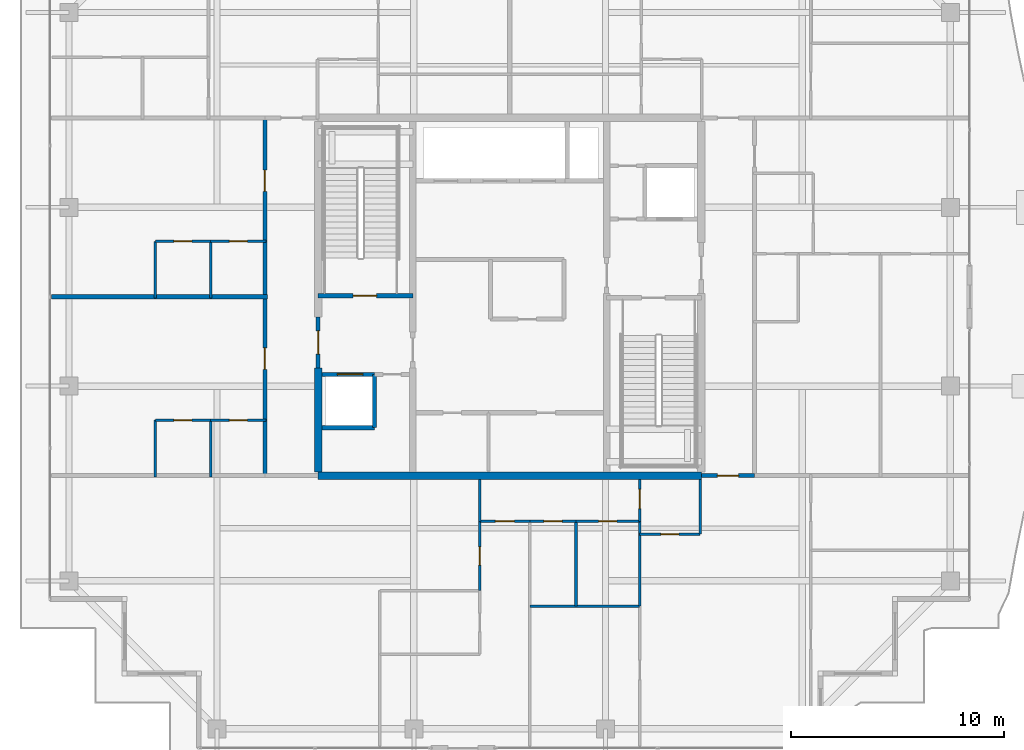
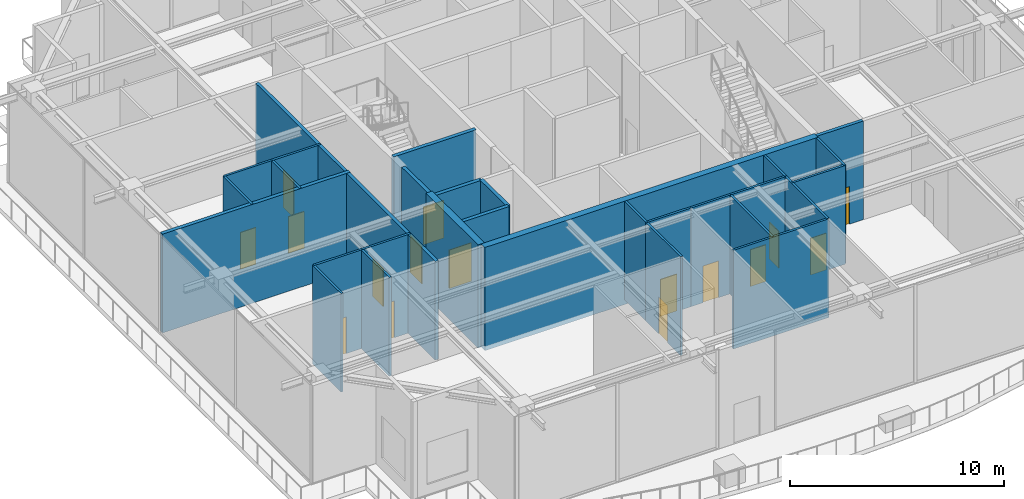
# One storey, part 27 of 38: 29 walls, 16 doors, 16 openings.
"""IFC4 building model written with IfcOpenShell, lengths in metres."""

from ifc_helpers import new_model, si_unit, direction, frame, frame_2d, origin, place, context, subcontext, project, spatial, rectangle, extrude, source, transform, mapped, material, layer, layer_set, type_object, element, fill, save


model = new_model("IFC4")

# Units and contexts
model_context = context("Model", 3, precision=1e-05, world=origin(), true_north=direction((0.0, 1.0)))
body_context = subcontext(model_context, "Body", "Model", "MODEL_VIEW")
ifc_project = project(units=[si_unit("LENGTHUNIT", "METRE"), si_unit("AREAUNIT", "SQUARE_METRE"), si_unit("VOLUMEUNIT", "CUBIC_METRE"), si_unit("PLANEANGLEUNIT", "RADIAN"), si_unit("MASSUNIT", "GRAM", prefix="KILO")], contexts=[model_context])

# Site, building, storey
site_placement = place(None, origin())
site = spatial("IfcSite", under=ifc_project, at=site_placement, CompositionType="ELEMENT")
building_placement = place(site_placement, origin())
building = spatial("IfcBuilding", under=site, at=building_placement, Name="Serunith Strait Residences", CompositionType="ELEMENT")
storey_placement = place(building_placement, frame((0.0, 0.0, 342.050048828125)))
storey = spatial("IfcBuildingStorey", under=building, at=storey_placement, Name="L85", CompositionType="ELEMENT", Elevation=342.050048828125)

# Wall, openings, doors
ifc_material_1 = material(Name="Fire-rated acoustic gypsum partition")
ifc_layer_1 = layer(ifc_material_1, 0.179931640625, Name="Fire-rated acoustic gypsum partition")
ifc_layer_set_1 = layer_set([ifc_layer_1], Name="Fire-rated acoustic gypsum partition")
wall_type_1 = type_object("IfcWallType", Name="IW-CORR-180", PredefinedType="PARTITIONING", material=ifc_layer_set_1)
wall_1_placement = place(storey_placement, frame((20.89990234375, 16.800048828125, 0.0), z_axis=(0.0, 0.0, 1.0), x_axis=(0.0, 1.0, 0.0)))
wall_1 = element("IfcWall", 1, at=wall_1_placement, inside=storey, type_object=wall_type_1, Name="L85 Partition Wall 027", PredefinedType="PARTITIONING", context=body_context, shape_type="SweptSolid", body=[
    extrude(rectangle(XDim=16.800048828125, YDim=0.179931640625, at=frame_2d((8.39990234375, 0.0))), origin(), (0.0, 0.0, 1.0), 5.639892578125),
])
opening_1_placement = place(wall_1_placement, frame((4.992919921875, 0.0, 0.0)))
opening_1 = element("IfcOpeningElement", 2, at=opening_1_placement, cuts=wall_1, Name="Opening D-APT1000", PredefinedType="OPENING", context=body_context, shape_type="SweptSolid", body=[
    extrude(rectangle(XDim=1.0, YDim=2.14990234375, at=frame_2d((0.5, 1.074951171875))), frame((0.0, 0.10009765625, 0.0), z_axis=(0.0, -1.0, 0.0), x_axis=(1.0, 0.0, 0.0)), (0.0, 0.0, 1.0), 0.199951171875),
])
opening_2_placement = place(wall_1_placement, frame((13.35107421875, 0.0, 0.0)))
opening_2 = element("IfcOpeningElement", 3, at=opening_2_placement, cuts=wall_1, Name="Opening D-APT1000", PredefinedType="OPENING", context=body_context, shape_type="SweptSolid", body=[
    extrude(rectangle(XDim=1.0, YDim=2.14990234375, at=frame_2d((0.5, 1.074951171875))), frame((0.0, 0.10009765625, 0.0), z_axis=(0.0, -1.0, 0.0), x_axis=(1.0, 0.0, 0.0)), (0.0, 0.0, 1.0), 0.199951171875),
])
ifc_material_2 = material(Name="Solid timber engineered fire door", Category="wood")
door_type_1 = type_object("IfcDoorType", Name="ID-APT-1000", OperationType="NOTDEFINED", PredefinedType="DOOR", material=ifc_material_2)
shared_shape_1 = source(origin(), body_context, "Body", "SweptSolid", [
    extrude(rectangle(XDim=1.0, YDim=2.14990234375, at=frame_2d((0.5, 1.074951171875))), frame((0.0, 0.02490234375, 0.0), z_axis=(0.0, -1.0, 0.0), x_axis=(1.0, 0.0, 0.0)), (0.0, 0.0, 1.0), 0.050048828125),
])
door_1_placement = place(opening_1_placement, origin())
door_1 = element("IfcDoor", 4, at=door_1_placement, inside=storey, type_object=door_type_1, Name="L85 Unit 04 Entrance Door", OperationType="SINGLE_SWING_RIGHT", OverallHeight=2.14990234375, OverallWidth=1.0, PredefinedType="DOOR", context=body_context, shape_type="MappedRepresentation", body=[
    mapped(shared_shape_1, transform((0.0, 0.0, 0.0), scale=1.0)),
])
fill(opening_1, door_1)
door_2_placement = place(opening_2_placement, origin())
door_2 = element("IfcDoor", 5, at=door_2_placement, inside=storey, type_object=door_type_1, Name="L85 Unit 05 Entrance Door", OperationType="SINGLE_SWING_LEFT", OverallHeight=2.14990234375, OverallWidth=1.0, PredefinedType="DOOR", context=body_context, shape_type="MappedRepresentation", body=[
    mapped(shared_shape_1, transform((0.0, 0.0, 0.0), scale=1.0)),
])
fill(opening_2, door_2)

# Wall, opening, door
wall_2_placement = place(storey_placement, frame((41.402099609375, 16.800048828125, 0.0), z_axis=(0.0, 0.0, 1.0), x_axis=(1.0, 0.0, 0.0)))
wall_2 = element("IfcWall", 6, at=wall_2_placement, inside=storey, type_object=wall_type_1, Name="L85 Partition Wall 028", PredefinedType="PARTITIONING", context=body_context, shape_type="SweptSolid", body=[
    extrude(rectangle(XDim=2.495849609375, YDim=0.179931640625, at=frame_2d((1.248046875, 0.0))), origin(), (0.0, 0.0, 1.0), 5.639892578125),
])
opening_3_placement = place(wall_2_placement, frame((0.748046875, 0.0, 0.0)))
opening_3 = element("IfcOpeningElement", 7, at=opening_3_placement, cuts=wall_2, Name="Opening D-APT1000", PredefinedType="OPENING", context=body_context, shape_type="SweptSolid", body=[
    extrude(rectangle(XDim=1.0, YDim=2.14990234375, at=frame_2d((0.5, 1.074951171875))), frame((0.0, 0.10009765625, 0.0), z_axis=(0.0, -1.0, 0.0), x_axis=(1.0, 0.0, 0.0)), (0.0, 0.0, 1.0), 0.199951171875),
])
door_3_placement = place(opening_3_placement, origin())
door_3 = element("IfcDoor", 8, at=door_3_placement, inside=storey, type_object=door_type_1, Name="L85 Unit 01 Entrance Door", OperationType="SINGLE_SWING_RIGHT", OverallHeight=2.14990234375, OverallWidth=1.0, PredefinedType="DOOR", context=body_context, shape_type="MappedRepresentation", body=[
    mapped(shared_shape_1, transform((0.0, 0.0, 0.0), scale=1.0)),
])
fill(opening_3, door_3)

ifc_material_3 = material(Name="Lightweight steel-stud gypsum partition", Category="steel")
ifc_layer_2 = layer(ifc_material_3, 0.1201171875, Name="Lightweight steel-stud gypsum partition")
ifc_layer_set_2 = layer_set([ifc_layer_2], Name="Lightweight steel-stud gypsum partition")
wall_type_2 = type_object("IfcWallType", Name="IW-PART-120", PredefinedType="PARTITIONING", material=ifc_layer_set_2)
wall_3_placement = place(storey_placement, frame((38.5, 14.050048828125, 0.0), z_axis=(0.0, 0.0, 1.0), x_axis=(1.0, 0.0, 0.0)))
wall_3 = element("IfcWall", 9, at=wall_3_placement, inside=storey, type_object=wall_type_2, Name="L85 Partition Wall 031", PredefinedType="PARTITIONING", context=body_context, shape_type="SweptSolid", body=[
    extrude(rectangle(XDim=2.85009765625, YDim=0.1201171875, at=frame_2d((1.425048828125, 0.0))), origin(), (0.0, 0.0, 1.0), 5.639892578125),
])
opening_4_placement = place(wall_3_placement, frame((1.0, 0.0, 0.0)))
opening_4 = element("IfcOpeningElement", 10, at=opening_4_placement, cuts=wall_3, Name="Opening D-RM850", PredefinedType="OPENING", context=body_context, shape_type="SweptSolid", body=[
    extrude(rectangle(XDim=0.85009765625, YDim=2.10009765625, at=frame_2d((0.425048828125, 1.050048828125))), frame((0.0, 0.070068359375, 0.0), z_axis=(0.0, -1.0, 0.0), x_axis=(1.0, 0.0, 0.0)), (0.0, 0.0, 1.0), 0.14013671875),
])
ifc_material_4 = material(Name="Engineered timber flush study and kitchen door", Category="wood")
door_type_2 = type_object("IfcDoorType", Name="ID-ROOM-850", OperationType="NOTDEFINED", PredefinedType="DOOR", material=ifc_material_4)
shared_shape_2 = source(origin(), body_context, "Body", "SweptSolid", [
    extrude(rectangle(XDim=0.85009765625, YDim=2.10009765625, at=frame_2d((0.425048828125, 1.050048828125))), frame((0.0, 0.02490234375, 0.0), z_axis=(0.0, -1.0, 0.0), x_axis=(1.0, 0.0, 0.0)), (0.0, 0.0, 1.0), 0.050048828125),
])
door_4_placement = place(opening_4_placement, origin())
door_4 = element("IfcDoor", 11, at=door_4_placement, inside=storey, type_object=door_type_2, Name="L85 Kitchen 8501 Door", OperationType="SINGLE_SWING_LEFT", OverallHeight=2.10009765625, OverallWidth=0.85009765625, PredefinedType="DOOR", context=body_context, shape_type="MappedRepresentation", body=[
    mapped(shared_shape_2, transform((0.0, 0.0, 0.0), scale=1.0)),
])
fill(opening_4, door_4)

# Wall
wall_4_placement = place(storey_placement, frame((41.35009765625, 14.050048828125, 0.0), z_axis=(0.0, 0.0, 1.0), x_axis=(0.0, 1.0, 0.0)))
element("IfcWall", 12, at=wall_4_placement, inside=storey, type_object=wall_type_2, Name="L85 Partition Wall 032", PredefinedType="PARTITIONING", context=body_context, shape_type="SweptSolid", body=[
    extrude(rectangle(XDim=2.574951171875, YDim=0.1201171875, at=frame_2d((1.28759765625, 0.0))), origin(), (0.0, 0.0, 1.0), 5.639892578125),
])

# Wall, opening, door
wall_5_placement = place(storey_placement, frame((38.5, 14.64990234375, 0.0), z_axis=(0.0, 0.0, 1.0), x_axis=(0.0, 1.0, 0.0)))
wall_5 = element("IfcWall", 13, at=wall_5_placement, inside=storey, type_object=wall_type_2, Name="L85 Partition Wall 033", PredefinedType="PARTITIONING", context=body_context, shape_type="SweptSolid", body=[
    extrude(rectangle(XDim=1.97509765625, YDim=0.1201171875, at=frame_2d((0.987548828125, 0.0))), origin(), (0.0, 0.0, 1.0), 5.639892578125),
])
opening_5_placement = place(wall_5_placement, frame((0.60107421875, 0.0, 0.0)))
opening_5 = element("IfcOpeningElement", 14, at=opening_5_placement, cuts=wall_5, Name="Opening D-RM900", PredefinedType="OPENING", context=body_context, shape_type="SweptSolid", body=[
    extrude(rectangle(XDim=0.89990234375, YDim=2.10009765625, at=frame_2d((0.449951171875, 1.050048828125))), frame((0.0, 0.070068359375, 0.0), z_axis=(0.0, -1.0, 0.0), x_axis=(1.0, 0.0, 0.0)), (0.0, 0.0, 1.0), 0.14013671875),
])
ifc_material_5 = material(Name="Engineered timber flush bedroom door", Category="wood")
door_type_3 = type_object("IfcDoorType", Name="ID-ROOM-900", OperationType="NOTDEFINED", PredefinedType="DOOR", material=ifc_material_5)
shared_shape_3 = source(origin(), body_context, "Body", "SweptSolid", [
    extrude(rectangle(XDim=0.89990234375, YDim=2.10009765625, at=frame_2d((0.449951171875, 1.050048828125))), frame((0.0, 0.02490234375, 0.0), z_axis=(0.0, -1.0, 0.0), x_axis=(1.0, 0.0, 0.0)), (0.0, 0.0, 1.0), 0.050048828125),
])
door_5_placement = place(opening_5_placement, origin())
door_5 = element("IfcDoor", 15, at=door_5_placement, inside=storey, type_object=door_type_3, Name="L85 Hall W 8501 Door", OperationType="SINGLE_SWING_RIGHT", OverallHeight=2.10009765625, OverallWidth=0.89990234375, PredefinedType="DOOR", context=body_context, shape_type="MappedRepresentation", body=[
    mapped(shared_shape_3, transform((0.0, 0.0, 0.0), scale=1.0)),
])
fill(opening_5, door_5)

# Walls
wall_6_placement = place(storey_placement, frame((38.5, 10.666015625, 0.0), z_axis=(0.0, 0.0, 1.0), x_axis=(0.0, 1.0, 0.0)))
element("IfcWall", 16, at=wall_6_placement, inside=storey, type_object=wall_type_2, Name="L85 Partition Wall 035", PredefinedType="PARTITIONING", context=body_context, shape_type="SweptSolid", body=[
    extrude(rectangle(XDim=3.98193359375, YDim=0.1201171875, at=frame_2d((1.990966796875, 0.0))), origin(), (0.0, 0.0, 1.0), 5.639892578125),
])
wall_7_placement = place(storey_placement, frame((33.35009765625, 10.6640625, 0.0), z_axis=(0.0, 0.0, 1.0), x_axis=(1.0, 0.0, 0.0)))
element("IfcWall", 17, at=wall_7_placement, inside=storey, type_object=wall_type_2, Name="L85 Partition Wall 036", PredefinedType="PARTITIONING", context=body_context, shape_type="SweptSolid", body=[
    extrude(rectangle(XDim=5.14990234375, YDim=0.1201171875, at=frame_2d((2.574951171875, 0.0))), origin(), (0.0, 0.0, 1.0), 5.639892578125),
])
wall_8_placement = place(storey_placement, frame((35.512939453125, 10.6640625, 0.0), z_axis=(0.0, 0.0, 1.0), x_axis=(0.0, 1.0, 0.0)))
element("IfcWall", 18, at=wall_8_placement, inside=storey, type_object=wall_type_2, Name="L85 Partition Wall 038", PredefinedType="PARTITIONING", context=body_context, shape_type="SweptSolid", body=[
    extrude(rectangle(XDim=3.98583984375, YDim=0.1201171875, at=frame_2d((1.992919921875, 0.0))), origin(), (0.0, 0.0, 1.0), 5.639892578125),
])

# Wall, opening, door
wall_9_placement = place(storey_placement, frame((33.35009765625, 14.64990234375, 0.0), z_axis=(0.0, 0.0, 1.0), x_axis=(1.0, 0.0, 0.0)))
wall_9 = element("IfcWall", 19, at=wall_9_placement, inside=storey, type_object=wall_type_2, Name="L85 Partition Wall 039", PredefinedType="PARTITIONING", context=body_context, shape_type="SweptSolid", body=[
    extrude(rectangle(XDim=2.162841796875, YDim=0.1201171875, at=frame_2d((1.08154296875, 0.0))), origin(), (0.0, 0.0, 1.0), 5.639892578125),
])
opening_6_placement = place(wall_9_placement, frame((0.656005859375, 0.0, 0.0)))
opening_6 = element("IfcOpeningElement", 20, at=opening_6_placement, cuts=wall_9, Name="Opening D-BTH850", PredefinedType="OPENING", context=body_context, shape_type="SweptSolid", body=[
    extrude(rectangle(XDim=0.85009765625, YDim=2.10009765625, at=frame_2d((0.425048828125, 1.050048828125))), frame((0.0, 0.070068359375, 0.0), z_axis=(0.0, -1.0, 0.0), x_axis=(1.0, 0.0, 0.0)), (0.0, 0.0, 1.0), 0.14013671875),
])
ifc_material_6 = material(Name="Moisture-resistant timber bathroom door", Category="wood")
door_type_4 = type_object("IfcDoorType", Name="ID-BATH-850", OperationType="NOTDEFINED", PredefinedType="DOOR", material=ifc_material_6)
door_6_placement = place(opening_6_placement, origin())
door_6 = element("IfcDoor", 21, at=door_6_placement, inside=storey, type_object=door_type_4, Name="L85 Bathroom 8501 Door", OperationType="SINGLE_SWING_RIGHT", OverallHeight=2.10009765625, OverallWidth=0.85009765625, PredefinedType="DOOR", context=body_context, shape_type="MappedRepresentation", body=[
    mapped(shared_shape_2, transform((0.0, 0.0, 0.0), scale=1.0)),
])
fill(opening_6, door_6)

wall_10_placement = place(storey_placement, frame((35.514892578125, 14.64990234375, 0.0), z_axis=(0.0, 0.0, 1.0), x_axis=(1.0, 0.0, 0.0)))
wall_10 = element("IfcWall", 22, at=wall_10_placement, inside=storey, type_object=wall_type_2, Name="L85 Partition Wall 040", PredefinedType="PARTITIONING", context=body_context, shape_type="SweptSolid", body=[
    extrude(rectangle(XDim=2.985107421875, YDim=0.1201171875, at=frame_2d((1.49267578125, 0.0))), origin(), (0.0, 0.0, 1.0), 5.639892578125),
])
opening_7_placement = place(wall_10_placement, frame((1.06689453125, 0.0, 0.0)))
opening_7 = element("IfcOpeningElement", 23, at=opening_7_placement, cuts=wall_10, Name="Opening D-RM850", PredefinedType="OPENING", context=body_context, shape_type="SweptSolid", body=[
    extrude(rectangle(XDim=0.85009765625, YDim=2.10009765625, at=frame_2d((0.425048828125, 1.050048828125))), frame((0.0, 0.070068359375, 0.0), z_axis=(0.0, -1.0, 0.0), x_axis=(1.0, 0.0, 0.0)), (0.0, 0.0, 1.0), 0.14013671875),
])
door_7_placement = place(opening_7_placement, origin())
door_7 = element("IfcDoor", 24, at=door_7_placement, inside=storey, type_object=door_type_2, Name="L85 Formal Dining Room 8501 Door", OperationType="SINGLE_SWING_LEFT", OverallHeight=2.10009765625, OverallWidth=0.85009765625, PredefinedType="DOOR", context=body_context, shape_type="MappedRepresentation", body=[
    mapped(shared_shape_2, transform((0.0, 0.0, 0.0), scale=1.0)),
])
fill(opening_7, door_7)

wall_11_placement = place(storey_placement, frame((31.0, 14.64990234375, 0.0), z_axis=(0.0, 0.0, 1.0), x_axis=(1.0, 0.0, 0.0)))
wall_11 = element("IfcWall", 25, at=wall_11_placement, inside=storey, type_object=wall_type_2, Name="L85 Partition Wall 041", PredefinedType="PARTITIONING", context=body_context, shape_type="SweptSolid", body=[
    extrude(rectangle(XDim=2.347900390625, YDim=0.1201171875, at=frame_2d((1.173828125, 0.0))), origin(), (0.0, 0.0, 1.0), 5.639892578125),
])
opening_8_placement = place(wall_11_placement, frame((0.72412109375, 0.0, 0.0)))
opening_8 = element("IfcOpeningElement", 26, at=opening_8_placement, cuts=wall_11, Name="Opening D-RM900", PredefinedType="OPENING", context=body_context, shape_type="SweptSolid", body=[
    extrude(rectangle(XDim=0.89990234375, YDim=2.10009765625, at=frame_2d((0.449951171875, 1.050048828125))), frame((0.0, 0.070068359375, 0.0), z_axis=(0.0, -1.0, 0.0), x_axis=(1.0, 0.0, 0.0)), (0.0, 0.0, 1.0), 0.14013671875),
])
door_8_placement = place(opening_8_placement, origin())
door_8 = element("IfcDoor", 27, at=door_8_placement, inside=storey, type_object=door_type_3, Name="L85 Master Bedroom W 8501 Door", OperationType="SINGLE_SWING_RIGHT", OverallHeight=2.10009765625, OverallWidth=0.89990234375, PredefinedType="DOOR", context=body_context, shape_type="MappedRepresentation", body=[
    mapped(shared_shape_3, transform((0.0, 0.0, 0.0), scale=1.0)),
])
fill(opening_8, door_8)

wall_12_placement = place(storey_placement, frame((31.0, 11.39111328125, 0.0), z_axis=(0.0, 0.0, 1.0), x_axis=(0.0, 1.0, 0.0)))
wall_12 = element("IfcWall", 28, at=wall_12_placement, inside=storey, type_object=wall_type_2, Name="L85 Partition Wall 046", PredefinedType="PARTITIONING", context=body_context, shape_type="SweptSolid", body=[
    extrude(rectangle(XDim=3.2587890625, YDim=0.1201171875, at=frame_2d((1.62939453125, 0.0))), origin(), (0.0, 0.0, 1.0), 5.639892578125),
])
opening_9_placement = place(wall_12_placement, frame((1.205078125, 0.0, 0.0)))
opening_9 = element("IfcOpeningElement", 29, at=opening_9_placement, cuts=wall_12, Name="Opening D-RM850", PredefinedType="OPENING", context=body_context, shape_type="SweptSolid", body=[
    extrude(rectangle(XDim=0.85009765625, YDim=2.10009765625, at=frame_2d((0.425048828125, 1.050048828125))), frame((0.0, 0.070068359375, 0.0), z_axis=(0.0, -1.0, 0.0), x_axis=(1.0, 0.0, 0.0)), (0.0, 0.0, 1.0), 0.14013671875),
])
door_9_placement = place(opening_9_placement, origin())
door_9 = element("IfcDoor", 30, at=door_9_placement, inside=storey, type_object=door_type_2, Name="L85 Wardrobe W 8501 Door", OperationType="SINGLE_SWING_RIGHT", OverallHeight=2.10009765625, OverallWidth=0.85009765625, PredefinedType="DOOR", context=body_context, shape_type="MappedRepresentation", body=[
    mapped(shared_shape_2, transform((0.0, 0.0, 0.0), scale=1.0)),
])
fill(opening_9, door_9)

# Wall
wall_13_placement = place(storey_placement, frame((31.0, 14.652099609375, 0.0), z_axis=(0.0, 0.0, 1.0), x_axis=(0.0, 1.0, 0.0)))
element("IfcWall", 31, at=wall_13_placement, inside=storey, type_object=wall_type_2, Name="L85 Partition Wall 047", PredefinedType="PARTITIONING", context=body_context, shape_type="SweptSolid", body=[
    extrude(rectangle(XDim=1.972900390625, YDim=0.1201171875, at=frame_2d((0.986328125, 0.0))), origin(), (0.0, 0.0, 1.0), 5.639892578125),
])

# Wall, opening, door
wall_14_placement = place(storey_placement, frame((15.75, 19.39990234375, 0.0), z_axis=(0.0, 0.0, 1.0), x_axis=(1.0, 0.0, 0.0)))
wall_14 = element("IfcWall", 32, at=wall_14_placement, inside=storey, type_object=wall_type_2, Name="L85 Partition Wall 073", PredefinedType="PARTITIONING", context=body_context, shape_type="SweptSolid", body=[
    extrude(rectangle(XDim=2.60009765625, YDim=0.1201171875, at=frame_2d((1.300048828125, 0.0))), origin(), (0.0, 0.0, 1.0), 5.639892578125),
])
opening_10_placement = place(wall_14_placement, frame((0.875, 0.0, 0.0)))
opening_10 = element("IfcOpeningElement", 33, at=opening_10_placement, cuts=wall_14, Name="Opening D-RM850", PredefinedType="OPENING", context=body_context, shape_type="SweptSolid", body=[
    extrude(rectangle(XDim=0.85009765625, YDim=2.10009765625, at=frame_2d((0.425048828125, 1.050048828125))), frame((0.0, 0.070068359375, 0.0), z_axis=(0.0, -1.0, 0.0), x_axis=(1.0, 0.0, 0.0)), (0.0, 0.0, 1.0), 0.14013671875),
])
door_10_placement = place(opening_10_placement, origin())
door_10 = element("IfcDoor", 34, at=door_10_placement, inside=storey, type_object=door_type_2, Name="L85 Kitchen 8504 Door", OperationType="SINGLE_SWING_RIGHT", OverallHeight=2.10009765625, OverallWidth=0.85009765625, PredefinedType="DOOR", context=body_context, shape_type="MappedRepresentation", body=[
    mapped(shared_shape_2, transform((0.0, 0.0, 0.0), scale=1.0)),
])
fill(opening_10, door_10)

wall_15_placement = place(storey_placement, frame((18.35205078125, 19.39990234375, 0.0), z_axis=(0.0, 0.0, 1.0), x_axis=(1.0, 0.0, 0.0)))
wall_15 = element("IfcWall", 35, at=wall_15_placement, inside=storey, type_object=wall_type_2, Name="L85 Partition Wall 074", PredefinedType="PARTITIONING", context=body_context, shape_type="SweptSolid", body=[
    extrude(rectangle(XDim=2.60791015625, YDim=0.1201171875, at=frame_2d((1.303955078125, 0.0))), origin(), (0.0, 0.0, 1.0), 5.639892578125),
])
opening_11_placement = place(wall_15_placement, frame((0.87890625, 0.0, 0.0)))
opening_11 = element("IfcOpeningElement", 36, at=opening_11_placement, cuts=wall_15, Name="Opening D-BTH850", PredefinedType="OPENING", context=body_context, shape_type="SweptSolid", body=[
    extrude(rectangle(XDim=0.85009765625, YDim=2.10009765625, at=frame_2d((0.425048828125, 1.050048828125))), frame((0.0, 0.070068359375, 0.0), z_axis=(0.0, -1.0, 0.0), x_axis=(1.0, 0.0, 0.0)), (0.0, 0.0, 1.0), 0.14013671875),
])
door_11_placement = place(opening_11_placement, origin())
door_11 = element("IfcDoor", 37, at=door_11_placement, inside=storey, type_object=door_type_4, Name="L85 Bathroom 8504 Door", OperationType="SINGLE_SWING_LEFT", OverallHeight=2.10009765625, OverallWidth=0.85009765625, PredefinedType="DOOR", context=body_context, shape_type="MappedRepresentation", body=[
    mapped(shared_shape_2, transform((0.0, 0.0, 0.0), scale=1.0)),
])
fill(opening_11, door_11)

# Walls
for number, where, z_axis, x_axis, name in (
    (38, (18.35009765625, 16.739990234375, 0.0), (0.0, 0.0, 1.0), (0.0, 1.0, 0.0), "L85 Partition Wall 075"),
    (39, (15.75, 16.739990234375, 0.0), (0.0, 0.0, 1.0), (0.0, 1.0, 0.0), "L85 Partition Wall 076"),
):
    element("IfcWall", number, at=place(storey_placement, frame(where, z_axis=z_axis, x_axis=x_axis)), inside=storey, type_object=wall_type_2, Name=name, PredefinedType="PARTITIONING", context=body_context, shape_type="SweptSolid", body=[
        extrude(rectangle(XDim=2.659912109375, YDim=0.1201171875, at=frame_2d((1.330078125, 0.0))), origin(), (0.0, 0.0, 1.0), 5.639892578125),
    ])

# Wall, opening, door
wall_16_placement = place(storey_placement, frame((15.75, 27.800048828125, 0.0), z_axis=(0.0, 0.0, 1.0), x_axis=(1.0, 0.0, 0.0)))
wall_16 = element("IfcWall", 40, at=wall_16_placement, inside=storey, type_object=wall_type_2, Name="L85 Partition Wall 077", PredefinedType="PARTITIONING", context=body_context, shape_type="SweptSolid", body=[
    extrude(rectangle(XDim=2.60009765625, YDim=0.1201171875, at=frame_2d((1.300048828125, 0.0))), origin(), (0.0, 0.0, 1.0), 5.639892578125),
])
opening_12_placement = place(wall_16_placement, frame((0.875, 0.0, 0.0)))
opening_12 = element("IfcOpeningElement", 41, at=opening_12_placement, cuts=wall_16, Name="Opening D-RM850", PredefinedType="OPENING", context=body_context, shape_type="SweptSolid", body=[
    extrude(rectangle(XDim=0.85009765625, YDim=2.10009765625, at=frame_2d((0.425048828125, 1.050048828125))), frame((0.0, 0.070068359375, 0.0), z_axis=(0.0, -1.0, 0.0), x_axis=(1.0, 0.0, 0.0)), (0.0, 0.0, 1.0), 0.14013671875),
])
door_12_placement = place(opening_12_placement, origin())
door_12 = element("IfcDoor", 42, at=door_12_placement, inside=storey, type_object=door_type_2, Name="L85 Kitchen 8505 Door", OperationType="SINGLE_SWING_RIGHT", OverallHeight=2.10009765625, OverallWidth=0.85009765625, PredefinedType="DOOR", context=body_context, shape_type="MappedRepresentation", body=[
    mapped(shared_shape_2, transform((0.0, 0.0, 0.0), scale=1.0)),
])
fill(opening_12, door_12)

wall_17_placement = place(storey_placement, frame((18.35205078125, 27.800048828125, 0.0), z_axis=(0.0, 0.0, 1.0), x_axis=(1.0, 0.0, 0.0)))
wall_17 = element("IfcWall", 43, at=wall_17_placement, inside=storey, type_object=wall_type_2, Name="L85 Partition Wall 078", PredefinedType="PARTITIONING", context=body_context, shape_type="SweptSolid", body=[
    extrude(rectangle(XDim=2.60791015625, YDim=0.1201171875, at=frame_2d((1.303955078125, 0.0))), origin(), (0.0, 0.0, 1.0), 5.639892578125),
])
opening_13_placement = place(wall_17_placement, frame((0.87890625, 0.0, 0.0)))
opening_13 = element("IfcOpeningElement", 44, at=opening_13_placement, cuts=wall_17, Name="Opening D-BTH850", PredefinedType="OPENING", context=body_context, shape_type="SweptSolid", body=[
    extrude(rectangle(XDim=0.85009765625, YDim=2.10009765625, at=frame_2d((0.425048828125, 1.050048828125))), frame((0.0, 0.070068359375, 0.0), z_axis=(0.0, -1.0, 0.0), x_axis=(1.0, 0.0, 0.0)), (0.0, 0.0, 1.0), 0.14013671875),
])
door_13_placement = place(opening_13_placement, origin())
door_13 = element("IfcDoor", 45, at=door_13_placement, inside=storey, type_object=door_type_4, Name="L85 Bathroom 8505 Door", OperationType="SINGLE_SWING_LEFT", OverallHeight=2.10009765625, OverallWidth=0.85009765625, PredefinedType="DOOR", context=body_context, shape_type="MappedRepresentation", body=[
    mapped(shared_shape_2, transform((0.0, 0.0, 0.0), scale=1.0)),
])
fill(opening_13, door_13)

# Walls
for number, where, z_axis, x_axis, name in (
    (46, (18.35009765625, 25.139892578125, 0.0), (0.0, 0.0, 1.0), (0.0, 1.0, 0.0), "L85 Partition Wall 079"),
    (47, (15.75, 25.139892578125, 0.0), (0.0, 0.0, 1.0), (0.0, 1.0, 0.0), "L85 Partition Wall 080"),
):
    element("IfcWall", number, at=place(storey_placement, frame(where, z_axis=z_axis, x_axis=x_axis)), inside=storey, type_object=wall_type_2, Name=name, PredefinedType="PARTITIONING", context=body_context, shape_type="SweptSolid", body=[
        extrude(rectangle(XDim=2.66015625, YDim=0.1201171875, at=frame_2d((1.330078125, 0.0))), origin(), (0.0, 0.0, 1.0), 5.639892578125),
    ])
ifc_material_7 = material(Name="Twin-stud acoustic gypsum board partition")
ifc_layer_3 = layer(ifc_material_7, 0.199951171875, Name="Twin-stud acoustic gypsum board partition")
ifc_layer_set_3 = layer_set([ifc_layer_3], Name="Twin-stud acoustic gypsum board partition")
wall_type_3 = type_object("IfcWallType", Name="IW-PARTY-200", PredefinedType="PARTITIONING", material=ifc_layer_set_3)
wall_18_placement = place(storey_placement, frame((10.882080078125, 25.199951171875, 0.0), z_axis=(0.0, 0.0, 1.0), x_axis=(1.0, 0.0, 0.0)))
element("IfcWall", 48, at=wall_18_placement, inside=storey, type_object=wall_type_3, Name="L85 Partition Wall 020", PredefinedType="PARTITIONING", context=body_context, shape_type="SweptSolid", body=[
    extrude(rectangle(XDim=10.137939453125, YDim=0.199951171875, at=frame_2d((5.06884765625, 0.0))), origin(), (0.0, 0.0, 1.0), 5.639892578125),
])

# Wall, opening, door
ifc_material_8 = material(Name="Autoclaved aerated concrete blockwork", Category="masonry")
ifc_layer_4 = layer(ifc_material_8, 0.199951171875, Name="Autoclaved aerated concrete blockwork")
ifc_layer_set_4 = layer_set([ifc_layer_4], Name="Autoclaved aerated concrete blockwork")
wall_type_4 = type_object("IfcWallType", Name="IW-SHAFT-200", PredefinedType="STANDARD", material=ifc_layer_set_4)
wall_19_placement = place(storey_placement, frame((23.39990234375, 25.25, 0.0), z_axis=(0.0, 0.0, 1.0), x_axis=(1.0, 0.0, 0.0)))
wall_19 = element("IfcWall", 49, at=wall_19_placement, inside=storey, type_object=wall_type_4, Name="L85 ST-1 South Shaft Wall", PredefinedType="STANDARD", context=body_context, shape_type="SweptSolid", body=[
    extrude(rectangle(XDim=4.4501953125, YDim=0.199951171875, at=frame_2d((2.22509765625, 0.0))), origin(), (0.0, 0.0, 1.0), 5.639892578125),
])
opening_14_placement = place(wall_19_placement, frame((1.64990234375, 0.0, 0.0)))
opening_14 = element("IfcOpeningElement", 50, at=opening_14_placement, cuts=wall_19, Name="Opening FD-1100", PredefinedType="OPENING", context=body_context, shape_type="SweptSolid", body=[
    extrude(rectangle(XDim=1.10009765625, YDim=2.14990234375, at=frame_2d((0.550048828125, 1.074951171875))), frame((0.0, 0.10986328125, 0.0), z_axis=(0.0, -1.0, 0.0), x_axis=(1.0, 0.0, 0.0)), (0.0, 0.0, 1.0), 0.219970703125),
])
ifc_material_9 = material(Name="Galvanised steel fire door leaf", Category="steel")
door_type_5 = type_object("IfcDoorType", Name="FD-STAIR-1100", OperationType="NOTDEFINED", PredefinedType="DOOR", material=ifc_material_9)
shared_shape_4 = source(origin(), body_context, "Body", "SweptSolid", [
    extrude(rectangle(XDim=1.10009765625, YDim=2.14990234375, at=frame_2d((0.550048828125, 1.074951171875))), frame((0.0, 0.02490234375, 0.0), z_axis=(0.0, -1.0, 0.0), x_axis=(1.0, 0.0, 0.0)), (0.0, 0.0, 1.0), 0.050048828125),
])
door_14_placement = place(opening_14_placement, origin())
door_14 = element("IfcDoor", 51, at=door_14_placement, inside=storey, type_object=door_type_5, Name="L85 ST-1 Escape Stair Door", OperationType="SINGLE_SWING_LEFT", OverallHeight=2.14990234375, OverallWidth=1.10009765625, PredefinedType="DOOR", context=body_context, shape_type="MappedRepresentation", body=[
    mapped(shared_shape_4, transform((0.0, 0.0, 0.0), scale=1.0)),
])
fill(opening_14, door_14)

wall_20_placement = place(storey_placement, frame((23.574951171875, 21.550048828125, 0.0), z_axis=(0.0, 0.0, 1.0), x_axis=(1.0, 0.0, 0.0)))
wall_20 = element("IfcWall", 52, at=wall_20_placement, inside=storey, type_object=wall_type_4, Name="L85 FL-1 North Shaft Wall", PredefinedType="STANDARD", context=body_context, shape_type="SweptSolid", body=[
    extrude(rectangle(XDim=2.47509765625, YDim=0.199951171875, at=frame_2d((1.237548828125, 0.0))), origin(), (0.0, 0.0, 1.0), 5.639892578125),
])
opening_15_placement = place(wall_20_placement, frame((0.72509765625, 0.0, 0.0)))
opening_15 = element("IfcOpeningElement", 53, at=opening_15_placement, cuts=wall_20, Name="Opening LD-FF1200", PredefinedType="OPENING", context=body_context, shape_type="SweptSolid", body=[
    extrude(rectangle(XDim=1.199951171875, YDim=2.199951171875, at=frame_2d((0.60009765625, 1.10009765625))), frame((0.0, 0.10986328125, 0.0), z_axis=(0.0, -1.0, 0.0), x_axis=(1.0, 0.0, 0.0)), (0.0, 0.0, 1.0), 0.219970703125),
])
ifc_material_10 = material(Name="Brushed stainless steel landing door", Category="steel")
door_type_6 = type_object("IfcDoorType", Name="LD-FF-1200", OperationType="DOUBLE_DOOR_SLIDING", PredefinedType="DOOR", material=ifc_material_10)
shared_shape_5 = source(origin(), body_context, "Body", "SweptSolid", [
    extrude(rectangle(XDim=1.199951171875, YDim=2.199951171875, at=frame_2d((0.60009765625, 1.10009765625))), frame((0.0, 0.02490234375, 0.0), z_axis=(0.0, -1.0, 0.0), x_axis=(1.0, 0.0, 0.0)), (0.0, 0.0, 1.0), 0.050048828125),
])
door_15_placement = place(opening_15_placement, origin())
door_15 = element("IfcDoor", 54, at=door_15_placement, inside=storey, type_object=door_type_6, Name="L85 FL-1 Landing Door", OperationType="DOUBLE_DOOR_SLIDING", OverallHeight=2.199951171875, OverallWidth=1.199951171875, PredefinedType="DOOR", context=body_context, shape_type="MappedRepresentation", body=[
    mapped(shared_shape_5, transform((0.0, 0.0, 0.0), scale=1.0)),
])
fill(opening_15, door_15)

# Walls
wall_21_placement = place(storey_placement, frame((26.050048828125, 19.050048828125, 0.0), z_axis=(0.0, 0.0, 1.0), x_axis=(0.0, 1.0, 0.0)))
element("IfcWall", 55, at=wall_21_placement, inside=storey, type_object=wall_type_4, Name="L85 Partition Wall 001", PredefinedType="STANDARD", context=body_context, shape_type="SweptSolid", body=[
    extrude(rectangle(XDim=2.5, YDim=0.199951171875, at=frame_2d((1.25, 0.0))), origin(), (0.0, 0.0, 1.0), 5.639892578125),
])
wall_22_placement = place(storey_placement, frame((23.574951171875, 19.050048828125, 0.0), z_axis=(0.0, 0.0, 1.0), x_axis=(1.0, 0.0, 0.0)))
element("IfcWall", 56, at=wall_22_placement, inside=storey, type_object=wall_type_4, Name="L85 Partition Wall 002", PredefinedType="STANDARD", context=body_context, shape_type="SweptSolid", body=[
    extrude(rectangle(XDim=2.47509765625, YDim=0.199951171875, at=frame_2d((1.237548828125, 0.0))), origin(), (0.0, 0.0, 1.0), 5.639892578125),
])

# Wall, opening, door
wall_23_placement = place(storey_placement, frame((23.39990234375, 21.85205078125, 0.0), z_axis=(0.0, 0.0, 1.0), x_axis=(0.0, 1.0, 0.0)))
wall_23 = element("IfcWall", 57, at=wall_23_placement, inside=storey, type_object=wall_type_4, Name="L85 Partition Wall 007", PredefinedType="STANDARD", context=body_context, shape_type="SweptSolid", body=[
    extrude(rectangle(XDim=2.39599609375, YDim=0.199951171875, at=frame_2d((1.197998046875, 0.0))), origin(), (0.0, 0.0, 1.0), 5.639892578125),
])
opening_16_placement = place(wall_23_placement, frame((0.64794921875, 0.0, 0.0)))
opening_16 = element("IfcOpeningElement", 58, at=opening_16_placement, cuts=wall_23, Name="Opening FD-FFL", PredefinedType="OPENING", context=body_context, shape_type="SweptSolid", body=[
    extrude(rectangle(XDim=1.10009765625, YDim=2.14990234375, at=frame_2d((0.550048828125, 1.074951171875))), frame((0.0, 0.10986328125, 0.0), z_axis=(0.0, -1.0, 0.0), x_axis=(1.0, 0.0, 0.0)), (0.0, 0.0, 1.0), 0.219970703125),
])
ifc_material_11 = material(Name="Glazed steel smoke-lobby fire door", Category="steel")
door_type_7 = type_object("IfcDoorType", Name="FD-FFL-1100", OperationType="NOTDEFINED", PredefinedType="DOOR", material=ifc_material_11)
door_16_placement = place(opening_16_placement, origin())
door_16 = element("IfcDoor", 59, at=door_16_placement, inside=storey, type_object=door_type_7, Name="L85 FFL-1 Corridor Fire Door", OperationType="SINGLE_SWING_LEFT", OverallHeight=2.14990234375, OverallWidth=1.10009765625, PredefinedType="DOOR", context=body_context, shape_type="MappedRepresentation", body=[
    mapped(shared_shape_4, transform((0.0, 0.0, 0.0), scale=1.0)),
])
fill(opening_16, door_16)

# Walls
ifc_material_12 = material(Name="Concrete C60/75", Category="concrete")
ifc_layer_5 = layer(ifc_material_12, 0.35009765625, Name="Concrete C60/75")
ifc_layer_set_5 = layer_set([ifc_layer_5], Name="Concrete C60/75")
wall_type_5 = type_object("IfcWallType", Name="SW-350-C60", PredefinedType="SHEAR", material=ifc_layer_set_5)
wall_24_placement = place(storey_placement, frame((23.39990234375, 16.800048828125, -0.260009765625), z_axis=(0.0, 0.0, 1.0), x_axis=(1.0, 0.0, 0.0)))
element("IfcWall", 60, at=wall_24_placement, inside=storey, type_object=wall_type_5, Name="L85 Core South Shear Wall", PredefinedType="SHEAR", context=body_context, shape_type="SweptSolid", body=[
    extrude(rectangle(XDim=18.0, YDim=0.35009765625, at=frame_2d((9.0, 0.0))), origin(), (0.0, 0.0, 1.0), 5.89794921875),
])
wall_25_placement = place(storey_placement, frame((23.39990234375, 16.97509765625, -0.260009765625), z_axis=(0.0, 0.0, 1.0), x_axis=(0.0, 1.0, 0.0)))
element("IfcWall", 61, at=wall_25_placement, inside=storey, type_object=wall_type_5, Name="L85 Core West Shear Wall South Pier", PredefinedType="SHEAR", context=body_context, shape_type="SweptSolid", body=[
    extrude(rectangle(XDim=4.875, YDim=0.35009765625, at=frame_2d((2.4375, 0.0))), origin(), (0.0, 0.0, 1.0), 5.89794921875),
])

save(model, "model.ifc")
